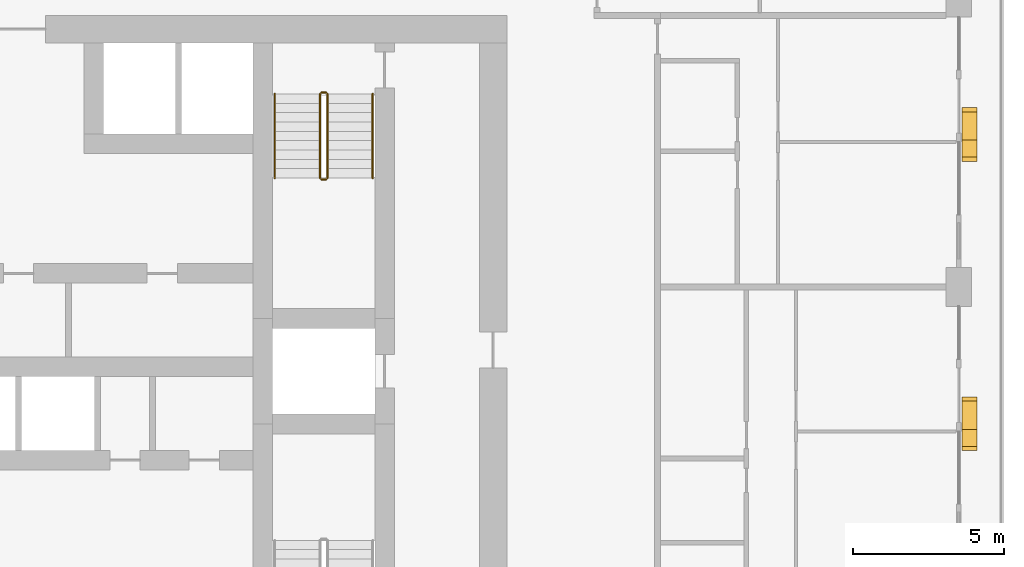
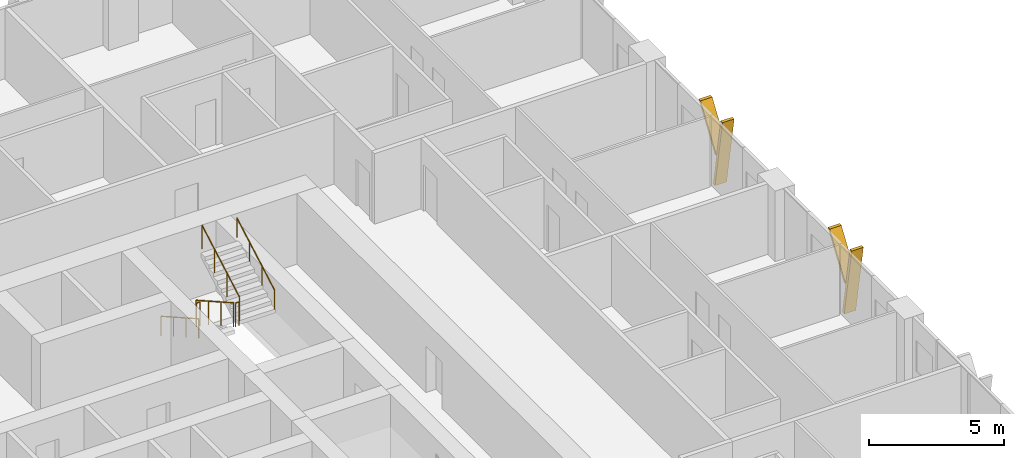
# One storey, part 20 of 21: 6 railings, 4 shading devices.
"""IFC4 building model written with IfcOpenShell, lengths in metres."""

from ifc_helpers import new_model, si_unit, direction, frame, origin, origin_2d, place, context, subcontext, project, spatial, polyline, circle, outline, extrude, material, type_object, element, save


model = new_model("IFC4")

# Units and contexts
model_context = context("Model", 3, precision=1e-05, world=origin(), true_north=direction((0.0, 1.0)))
body_context = subcontext(model_context, "Body", "Model", "MODEL_VIEW")
ifc_project = project(units=[si_unit("LENGTHUNIT", "METRE"), si_unit("AREAUNIT", "SQUARE_METRE"), si_unit("VOLUMEUNIT", "CUBIC_METRE"), si_unit("PLANEANGLEUNIT", "RADIAN"), si_unit("MASSUNIT", "GRAM", prefix="KILO")], contexts=[model_context])

# Site, building, storey
site_placement = place(None, origin())
site = spatial("IfcSite", under=ifc_project, at=site_placement, CompositionType="ELEMENT")
building_placement = place(site_placement, origin())
building = spatial("IfcBuilding", under=site, at=building_placement, Name="Madar Terraces", CompositionType="ELEMENT")
storey_placement = place(building_placement, frame((0.0, 0.0, 89.199951171875)))
storey = spatial("IfcBuildingStorey", under=building, at=storey_placement, Name="L22", CompositionType="ELEMENT", Elevation=89.199951171875)

# Shading devices
ifc_material_1 = material(Name="Aluminium, black anodised", Category="aluminium")
shading_device_type = type_object("IfcShadingDeviceType", Name="Facade fin blade 140 x 500", PredefinedType="USERDEFINED", material=ifc_material_1)
shading_device_1_placement = place(storey_placement, frame((62.75, 23.929931640625, 0.0), z_axis=(0.0, 0.0, 1.0), x_axis=(0.0, 1.0, 0.0)))
element("IfcShadingDevice", 1, at=shading_device_1_placement, inside=storey, type_object=shading_device_type, Name="FIN L22 E2", ObjectType="FIN", PredefinedType="USERDEFINED", context=body_context, shape_type="SweptSolid", body=[
    extrude(outline(polyline([(0.0, 0.0), (0.14013671875, 0.0), (-0.42431640625, 3.199951171875), (-0.564208984375, 3.199951171875), (0.0, 0.0)])), frame((0.0, 0.25, 0.0), z_axis=(0.0, -1.0, 0.0), x_axis=(1.0, 0.0, 0.0)), (0.0, 0.0, 1.0), 0.5),
])
shading_device_2_placement = place(storey_placement, frame((62.75, 23.816162109375, 1.43994140625), z_axis=(0.0, 0.0, 1.0), x_axis=(0.0, 1.0, 0.0)))
element("IfcShadingDevice", 2, at=shading_device_2_placement, inside=storey, type_object=shading_device_type, Name="FIN L22 E2 branch", ObjectType="FIN", PredefinedType="USERDEFINED", context=body_context, shape_type="SweptSolid", body=[
    extrude(outline(polyline([(0.0, 0.0), (0.139892578125, 0.0), (1.32958984375, 1.760009765625), (1.189697265625, 1.760009765625), (0.0, 0.0)])), frame((0.0, 0.25, 0.0), z_axis=(0.0, -1.0, 0.0), x_axis=(1.0, 0.0, 0.0)), (0.0, 0.0, 1.0), 0.5),
])
shading_device_3_placement = place(storey_placement, frame((62.75, 33.530029296875, 0.0), z_axis=(0.0, 0.0, 1.0), x_axis=(0.0, 1.0, 0.0)))
element("IfcShadingDevice", 3, at=shading_device_3_placement, inside=storey, type_object=shading_device_type, Name="FIN L22 E3", ObjectType="FIN", PredefinedType="USERDEFINED", context=body_context, shape_type="SweptSolid", body=[
    extrude(outline(polyline([(0.0, 0.0), (0.139892578125, 0.0), (-0.42431640625, 3.199951171875), (-0.564208984375, 3.199951171875), (0.0, 0.0)])), frame((0.0, 0.25, 0.0), z_axis=(0.0, -1.0, 0.0), x_axis=(1.0, 0.0, 0.0)), (0.0, 0.0, 1.0), 0.5),
])
shading_device_4_placement = place(storey_placement, frame((62.75, 33.416015625, 1.43994140625), z_axis=(0.0, 0.0, 1.0), x_axis=(0.0, 1.0, 0.0)))
element("IfcShadingDevice", 4, at=shading_device_4_placement, inside=storey, type_object=shading_device_type, Name="FIN L22 E3 branch", ObjectType="FIN", PredefinedType="USERDEFINED", context=body_context, shape_type="SweptSolid", body=[
    extrude(outline(polyline([(0.0, 0.0), (0.14013671875, 0.0), (1.32958984375, 1.760009765625), (1.189697265625, 1.760009765625), (0.0, 0.0)])), frame((0.0, 0.25, 0.0), z_axis=(0.0, -1.0, 0.0), x_axis=(1.0, 0.0, 0.0)), (0.0, 0.0, 1.0), 0.5),
])

# Railings
ifc_material_2 = material(Name="Stainless steel railing", Category="steel")
railing_type_1 = type_object("IfcRailingType", Name="Stair guard 1100", PredefinedType="GUARDRAIL", material=ifc_material_2)
railing_1_placement = place(storey_placement, frame((41.199951171875, 35.199951171875, 0.175048828125)))
element("IfcRailing", 5, at=railing_1_placement, inside=storey, type_object=railing_type_1, Name="L22 ST2 stair guard 1", PredefinedType="GUARDRAIL", context=body_context, shape_type="SweptSolid", body=[
    extrude(circle(Radius=0.02392578125, at=origin_2d()), frame((0.0, 0.0, 1.076171875), z_axis=(0.0, -0.870833779661, 0.491577591232), x_axis=(1.0, 0.0, 0.0)), (0.0, 0.0, 1.0), 3.203857421875),
    extrude(circle(Radius=0.02099609375, at=origin_2d()), origin(), (0.0, 0.0, 1.0), 1.052001953125),
    extrude(circle(Radius=0.02099609375, at=origin_2d()), frame((0.0, -0.929931640625, 0.52490234375)), (0.0, 0.0, 1.0), 1.052001953125),
    extrude(circle(Radius=0.02099609375, at=origin_2d()), frame((0.0, -1.860107421875, 1.050048828125)), (0.0, 0.0, 1.0), 1.052001953125),
    extrude(circle(Radius=0.02099609375, at=origin_2d()), frame((0.0, -2.7900390625, 1.574951171875)), (0.0, 0.0, 1.0), 1.052001953125),
])
railing_2_placement = place(storey_placement, frame((41.25, 32.360107421875, 1.75)))
element("IfcRailing", 6, at=railing_2_placement, inside=storey, type_object=railing_type_1, Name="L22 ST2 stair guard 2", PredefinedType="GUARDRAIL", context=body_context, shape_type="SweptSolid", body=[
    extrude(circle(Radius=0.02392578125, at=origin_2d()), frame((0.0, 0.0, 1.076171875), z_axis=(1.0, 0.0, 0.0), x_axis=(0.0, 1.0, 0.0)), (0.0, 0.0, 1.0), 0.14990234375),
    extrude(circle(Radius=0.02099609375, at=origin_2d()), origin(), (0.0, 0.0, 1.0), 1.052001953125),
    extrude(circle(Radius=0.02099609375, at=origin_2d()), frame((0.14990234375, 0.0, 0.0)), (0.0, 0.0, 1.0), 1.052001953125),
])
railing_3_placement = place(storey_placement, frame((41.449951171875, 32.409912109375, 1.925048828125)))
element("IfcRailing", 7, at=railing_3_placement, inside=storey, type_object=railing_type_1, Name="L22 ST2 stair guard 3", PredefinedType="GUARDRAIL", context=body_context, shape_type="SweptSolid", body=[
    extrude(circle(Radius=0.02392578125, at=origin_2d()), frame((0.0, 0.0, 1.076171875), z_axis=(0.0, 0.870833779661, 0.491577591232), x_axis=(-1.0, 0.0, 0.0)), (0.0, 0.0, 1.0), 3.203857421875),
    extrude(circle(Radius=0.02099609375, at=origin_2d()), origin(), (0.0, 0.0, 1.0), 1.052001953125),
    extrude(circle(Radius=0.02099609375, at=origin_2d()), frame((0.0, 0.929931640625, 0.52490234375)), (0.0, 0.0, 1.0), 1.052001953125),
    extrude(circle(Radius=0.02099609375, at=origin_2d()), frame((0.0, 1.860107421875, 1.050048828125)), (0.0, 0.0, 1.0), 1.052001953125),
    extrude(circle(Radius=0.02099609375, at=origin_2d()), frame((0.0, 2.7900390625, 1.574951171875)), (0.0, 0.0, 1.0), 1.052001953125),
])
railing_4_placement = place(storey_placement, frame((41.25, 35.25, 0.0)))
element("IfcRailing", 8, at=railing_4_placement, inside=storey, type_object=railing_type_1, Name="L22 ST2 stair guard 4", PredefinedType="GUARDRAIL", context=body_context, shape_type="SweptSolid", body=[
    extrude(circle(Radius=0.02392578125, at=origin_2d()), frame((0.0, 0.0, 1.076171875), z_axis=(1.0, 0.0, 0.0), x_axis=(0.0, 1.0, 0.0)), (0.0, 0.0, 1.0), 0.14990234375),
    extrude(circle(Radius=0.02099609375, at=origin_2d()), origin(), (0.0, 0.0, 1.0), 1.052001953125),
    extrude(circle(Radius=0.02099609375, at=origin_2d()), frame((0.14990234375, 0.0, 0.0)), (0.0, 0.0, 1.0), 1.052001953125),
])
ifc_material_3 = material(Name="Stainless steel railing", Category="steel")
railing_type_2 = type_object("IfcRailingType", Name="Stair handrail 900", PredefinedType="HANDRAIL", material=ifc_material_3)
railing_5_placement = place(storey_placement, frame((39.699951171875, 35.199951171875, 0.175048828125)))
element("IfcRailing", 9, at=railing_5_placement, inside=storey, type_object=railing_type_2, Name="L22 ST2 stair handrail 1", PredefinedType="HANDRAIL", context=body_context, shape_type="SweptSolid", body=[
    extrude(circle(Radius=0.02392578125, at=origin_2d()), frame((0.0, 0.0, 0.8759765625), z_axis=(0.0, -0.870833779661, 0.491577591232), x_axis=(1.0, 0.0, 0.0)), (0.0, 0.0, 1.0), 3.203857421875),
    extrude(circle(Radius=0.02099609375, at=origin_2d()), origin(), (0.0, 0.0, 1.0), 0.851806640625),
    extrude(circle(Radius=0.02099609375, at=origin_2d()), frame((0.0, -0.929931640625, 0.52490234375)), (0.0, 0.0, 1.0), 0.851806640625),
    extrude(circle(Radius=0.02099609375, at=origin_2d()), frame((0.0, -1.860107421875, 1.050048828125)), (0.0, 0.0, 1.0), 0.851806640625),
    extrude(circle(Radius=0.02099609375, at=origin_2d()), frame((0.0, -2.7900390625, 1.574951171875)), (0.0, 0.0, 1.0), 0.851806640625),
])
railing_6_placement = place(storey_placement, frame((42.949951171875, 32.409912109375, 1.925048828125)))
element("IfcRailing", 10, at=railing_6_placement, inside=storey, type_object=railing_type_2, Name="L22 ST2 stair handrail 2", PredefinedType="HANDRAIL", context=body_context, shape_type="SweptSolid", body=[
    extrude(circle(Radius=0.02392578125, at=origin_2d()), frame((0.0, 0.0, 0.8759765625), z_axis=(0.0, 0.870833779661, 0.491577591232), x_axis=(-1.0, 0.0, 0.0)), (0.0, 0.0, 1.0), 3.203857421875),
    extrude(circle(Radius=0.02099609375, at=origin_2d()), origin(), (0.0, 0.0, 1.0), 0.851806640625),
    extrude(circle(Radius=0.02099609375, at=origin_2d()), frame((0.0, 0.929931640625, 0.52490234375)), (0.0, 0.0, 1.0), 0.851806640625),
    extrude(circle(Radius=0.02099609375, at=origin_2d()), frame((0.0, 1.860107421875, 1.050048828125)), (0.0, 0.0, 1.0), 0.851806640625),
    extrude(circle(Radius=0.02099609375, at=origin_2d()), frame((0.0, 2.7900390625, 1.574951171875)), (0.0, 0.0, 1.0), 0.851806640625),
])

save(model, "model.ifc")
